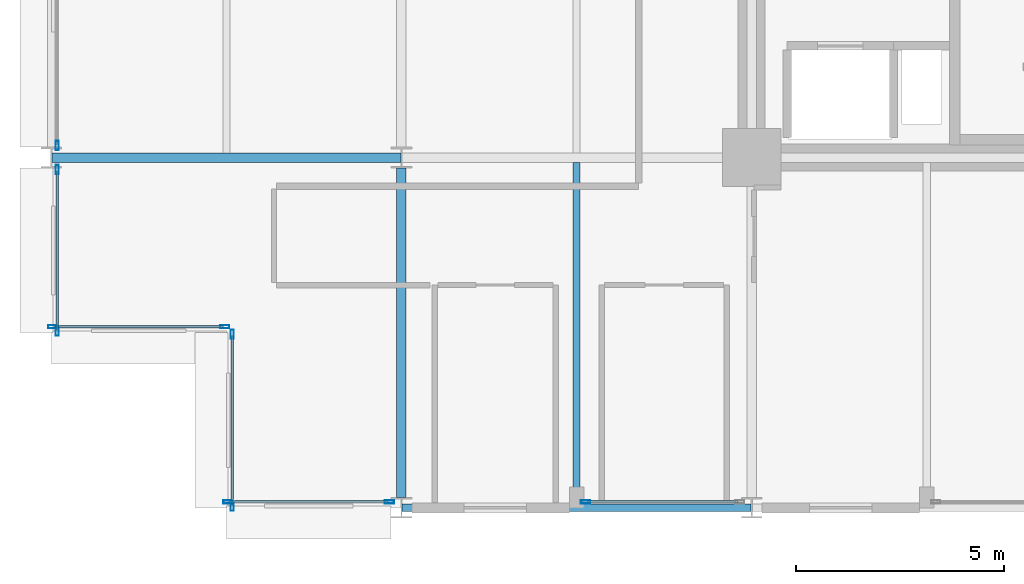
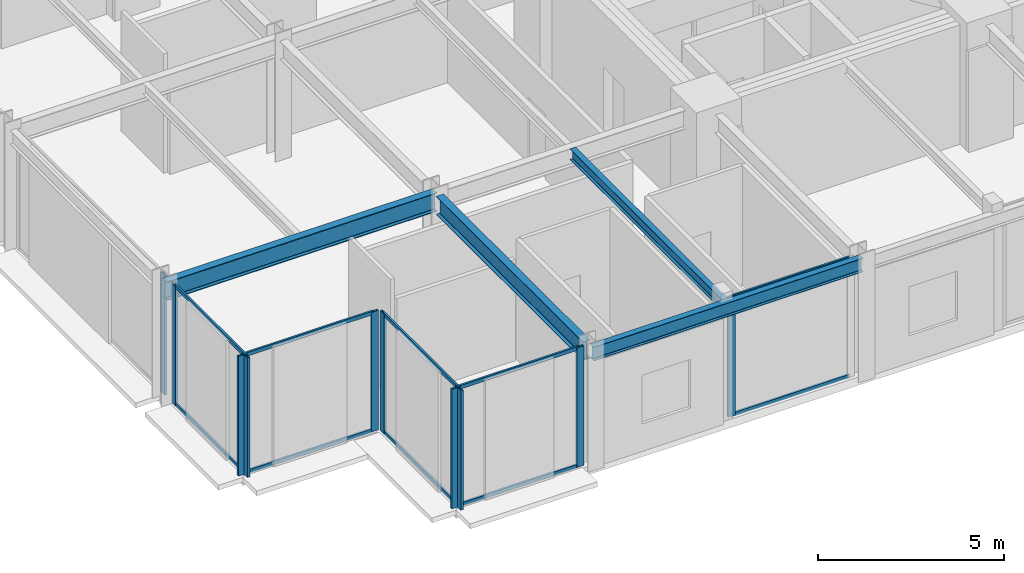
# One storey, part 2 of 25: 20 members, 4 beams, 6 elements without a shape of their own.
"""IFC4 building model written with IfcOpenShell, lengths in metres."""

from ifc_helpers import new_model, si_unit, direction, frame, origin, origin_2d, place, context, subcontext, project, spatial, hollow_rectangle, i_section, extrude, material, layer, layer_set, material_profile, profile_set, type_object, element, aggregate, save


model = new_model("IFC4")

# Units and contexts
model_context = context("Model", 3, precision=1e-05, world=origin(), true_north=direction((0.0, 1.0)))
body_context = subcontext(model_context, "Body", "Model", "MODEL_VIEW")
ifc_project = project(units=[si_unit("LENGTHUNIT", "METRE"), si_unit("AREAUNIT", "SQUARE_METRE"), si_unit("VOLUMEUNIT", "CUBIC_METRE"), si_unit("PLANEANGLEUNIT", "RADIAN"), si_unit("MASSUNIT", "GRAM", prefix="KILO")], contexts=[model_context])

# Site, building, storey
site_placement = place(None, origin())
site = spatial("IfcSite", under=ifc_project, at=site_placement, CompositionType="ELEMENT")
building_placement = place(site_placement, origin())
building = spatial("IfcBuilding", under=site, at=building_placement, Name="Nerrivon Quay Data Exchange", CompositionType="ELEMENT")
storey_placement = place(building_placement, frame((0.0, 0.0, 41.60009765625)))
storey = spatial("IfcBuildingStorey", under=building, at=storey_placement, Name="L09", CompositionType="ELEMENT", Elevation=41.60009765625)

# Beams
ifc_material_1 = material(Name="Steel Grade 350", Category="steel")
ifc_material_profile_1 = material_profile(ifc_material_1, i_section(OverallWidth=0.22900390625, OverallDepth=0.612060546875, WebThickness=0.011962890625, FlangeThickness=0.01953125, FilletRadius=0.013916015625, at=origin_2d()), Name="610UB125")
ifc_profile_set_1 = profile_set([ifc_material_profile_1], Name="Steel Grade 350")
beam_type_1 = type_object("IfcBeamType", Name="BM-G1-610UB125", PredefinedType="BEAM", material=ifc_profile_set_1)
beam_1_placement = place(storey_placement, frame((0.013916015625, 8.39990234375, 3.618896484375), z_axis=(1.0, 0.0, 0.0), x_axis=(0.0, 1.0, 0.0)))
element("IfcBeam", 1, at=beam_1_placement, inside=storey, type_object=beam_type_1, Name="L09 EW Girder Y=8.4 (0.0..8.4)", PredefinedType="BEAM", context=body_context, shape_type="SweptSolid", body=[
    extrude(i_section(OverallWidth=0.22900390625, OverallDepth=0.612060546875, WebThickness=0.011962890625, FlangeThickness=0.01953125, FilletRadius=0.013916015625, at=origin_2d()), origin(), (0.0, 0.0, 1.0), 8.3720703125),
])
ifc_material_profile_2 = material_profile(ifc_material_1, i_section(OverallWidth=0.22802734375, OverallDepth=0.60205078125, WebThickness=0.010498046875, FlangeThickness=0.014892578125, FilletRadius=0.013916015625, at=origin_2d()), Name="610UB101")
ifc_profile_set_2 = profile_set([ifc_material_profile_2], Name="Steel Grade 350")
beam_type_2 = type_object("IfcBeamType", Name="BM-G2-610UB101", PredefinedType="BEAM", material=ifc_profile_set_2)
beam_2_placement = place(storey_placement, frame((8.39990234375, 0.25, 3.6240234375), z_axis=(0.0, 1.0, 0.0), x_axis=(-1.0, 0.0, 0.0)))
element("IfcBeam", 2, at=beam_2_placement, inside=storey, type_object=beam_type_2, Name="L09 NS Girder X=8.4 (0.0..8.4)", PredefinedType="BEAM", context=body_context, shape_type="SweptSolid", body=[
    extrude(i_section(OverallWidth=0.22802734375, OverallDepth=0.60205078125, WebThickness=0.010498046875, FlangeThickness=0.014892578125, FilletRadius=0.013916015625, at=origin_2d()), origin(), (0.0, 0.0, 1.0), 7.89990234375),
])
ifc_material_profile_3 = material_profile(ifc_material_1, i_section(OverallWidth=0.172119140625, OverallDepth=0.35888671875, WebThickness=0.008056640625, FlangeThickness=0.012939453125, FilletRadius=0.011474609375, at=origin_2d()), Name="360UB56.7")
ifc_profile_set_3 = profile_set([ifc_material_profile_3], Name="Steel Grade 350")
beam_type_3 = type_object("IfcBeamType", Name="BM-J3-360UB57", PredefinedType="JOIST", material=ifc_profile_set_3)
beam_3_placement = place(storey_placement, frame((12.60009765625, 0.094970703125, 3.745361328125), z_axis=(0.0, 1.0, 0.0), x_axis=(-1.0, 0.0, 0.0)))
element("IfcBeam", 3, at=beam_3_placement, inside=storey, type_object=beam_type_3, Name="L09 Secondary Joist X=12.6 (0.0..8.4)", PredefinedType="JOIST", context=body_context, shape_type="SweptSolid", body=[
    extrude(i_section(OverallWidth=0.172119140625, OverallDepth=0.35888671875, WebThickness=0.008056640625, FlangeThickness=0.012939453125, FilletRadius=0.011474609375, at=origin_2d()), origin(), (0.0, 0.0, 1.0), 8.1904296875),
])
ifc_material_profile_4 = material_profile(ifc_material_1, i_section(OverallWidth=0.18994140625, OverallDepth=0.4541015625, WebThickness=0.008544921875, FlangeThickness=0.0126953125, FilletRadius=0.011474609375, at=origin_2d()), Name="460UB67.1")
ifc_profile_set_4 = profile_set([ifc_material_profile_4], Name="Steel Grade 350")
beam_type_4 = type_object("IfcBeamType", Name="BM-SP1-460UB67", PredefinedType="SPANDREL", material=ifc_profile_set_4)
beam_4_placement = place(storey_placement, frame((8.4140625, 0.0, 3.697998046875), z_axis=(1.0, 0.0, 0.0), x_axis=(0.0, 1.0, 0.0)))
element("IfcBeam", 4, at=beam_4_placement, inside=storey, type_object=beam_type_4, Name="L09 EW Girder Y=0.0 (8.4..16.8)", PredefinedType="SPANDREL", context=body_context, shape_type="SweptSolid", body=[
    extrude(i_section(OverallWidth=0.18994140625, OverallDepth=0.4541015625, WebThickness=0.008544921875, FlangeThickness=0.0126953125, FilletRadius=0.011474609375, at=origin_2d()), origin(), (0.0, 0.0, 1.0), 8.371826171875),
])

# Curtain wall, member
ifc_material_2 = material(Name="Anodised aluminium 6063-T6", Category="aluminium")
ifc_layer = layer(ifc_material_2, 0.219970703125)
ifc_layer_set = layer_set([ifc_layer], Name="Anodised aluminium 6063-T6")
curtain_wall_type = type_object("IfcCurtainWallType", Name="CW-SYS-01", PredefinedType="NOTDEFINED", material=ifc_layer_set)
curtain_wall_1_placement = place(storey_placement, origin())
curtain_wall_1 = element("IfcCurtainWall", 5, at=curtain_wall_1_placement, inside=storey, type_object=curtain_wall_type, Name="L09 Unitised Curtain Wall 8", PredefinedType="NOTDEFINED")
ifc_material_profile_5 = material_profile(ifc_material_2, hollow_rectangle(XDim=0.074951171875, YDim=0.219970703125, WallThickness=0.00390625, at=origin_2d()), Name="ALU-MULL-220x75")
ifc_profile_set_5 = profile_set([ifc_material_profile_5], Name="Anodised aluminium 6063-T6")
member_type_1 = type_object("IfcMemberType", Name="CWM-220x75", PredefinedType="MULLION", material=ifc_profile_set_5)
member_1_placement = place(storey_placement, frame((12.8125, 0.139892578125, 0.0), z_axis=(0.0, 0.0, 1.0), x_axis=(0.0, -1.0, 0.0)))
member_1 = element("IfcMember", 6, at=member_1_placement, type_object=member_type_1, Name="CW01 mullion 2", PredefinedType="MULLION", context=body_context, shape_type="SweptSolid", body=[
    extrude(hollow_rectangle(XDim=0.074951171875, YDim=0.219970703125, WallThickness=0.00390625, at=origin_2d()), origin(), (0.0, 0.0, 1.0), 3.9248046875),
])

# Curtain wall, members
curtain_wall_2_placement = place(storey_placement, origin())
curtain_wall_2 = element("IfcCurtainWall", 7, at=curtain_wall_2_placement, inside=storey, type_object=curtain_wall_type, Name="L09 Unitised Curtain Wall 10", PredefinedType="NOTDEFINED")
member_2_placement = place(storey_placement, frame((8.112548828125, 0.139892578125, 0.0), z_axis=(0.0, 0.0, 1.0), x_axis=(0.0, -1.0, 0.0)))
member_2 = element("IfcMember", 8, at=member_2_placement, type_object=member_type_1, Name="CW01 mullion 1", PredefinedType="MULLION", context=body_context, shape_type="SweptSolid", body=[
    extrude(hollow_rectangle(XDim=0.074951171875, YDim=0.219970703125, WallThickness=0.00390625, at=origin_2d()), origin(), (0.0, 0.0, 1.0), 3.9248046875),
])
member_3_placement = place(storey_placement, frame((4.237548828125, 0.139892578125, 0.0), z_axis=(0.0, 0.0, 1.0), x_axis=(0.0, -1.0, 0.0)))
member_3 = element("IfcMember", 9, at=member_3_placement, type_object=member_type_1, Name="CW01 mullion 2", PredefinedType="MULLION", context=body_context, shape_type="SweptSolid", body=[
    extrude(hollow_rectangle(XDim=0.074951171875, YDim=0.219970703125, WallThickness=0.00390625, at=origin_2d()), origin(), (0.0, 0.0, 1.0), 3.9248046875),
])

curtain_wall_3_placement = place(storey_placement, origin())
curtain_wall_3 = element("IfcCurtainWall", 10, at=curtain_wall_3_placement, inside=storey, type_object=curtain_wall_type, Name="L09 Unitised Curtain Wall 11", PredefinedType="NOTDEFINED")
member_4_placement = place(storey_placement, frame((4.340087890625, 0.03759765625, 0.0), z_axis=(0.0, 0.0, 1.0), x_axis=(-1.0, 0.0, 0.0)))
member_4 = element("IfcMember", 11, at=member_4_placement, type_object=member_type_1, Name="CW01 mullion 1", PredefinedType="MULLION", context=body_context, shape_type="SweptSolid", body=[
    extrude(hollow_rectangle(XDim=0.074951171875, YDim=0.219970703125, WallThickness=0.00390625, at=origin_2d()), origin(), (0.0, 0.0, 1.0), 3.9248046875),
])
member_5_placement = place(storey_placement, frame((4.340087890625, 4.16259765625, 0.0), z_axis=(0.0, 0.0, 1.0), x_axis=(-1.0, 0.0, 0.0)))
member_5 = element("IfcMember", 12, at=member_5_placement, type_object=member_type_1, Name="CW01 mullion 2", PredefinedType="MULLION", context=body_context, shape_type="SweptSolid", body=[
    extrude(hollow_rectangle(XDim=0.074951171875, YDim=0.219970703125, WallThickness=0.00390625, at=origin_2d()), origin(), (0.0, 0.0, 1.0), 3.9248046875),
])

curtain_wall_4_placement = place(storey_placement, origin())
curtain_wall_4 = element("IfcCurtainWall", 13, at=curtain_wall_4_placement, inside=storey, type_object=curtain_wall_type, Name="L09 Unitised Curtain Wall 12", PredefinedType="NOTDEFINED")
member_6_placement = place(storey_placement, frame((4.16259765625, 4.340087890625, 0.0), z_axis=(0.0, 0.0, 1.0), x_axis=(0.0, -1.0, 0.0)))
member_6 = element("IfcMember", 14, at=member_6_placement, type_object=member_type_1, Name="CW01 mullion 1", PredefinedType="MULLION", context=body_context, shape_type="SweptSolid", body=[
    extrude(hollow_rectangle(XDim=0.074951171875, YDim=0.219970703125, WallThickness=0.00390625, at=origin_2d()), origin(), (0.0, 0.0, 1.0), 3.9248046875),
])
member_7_placement = place(storey_placement, frame((0.03759765625, 4.340087890625, 0.0), z_axis=(0.0, 0.0, 1.0), x_axis=(0.0, -1.0, 0.0)))
member_7 = element("IfcMember", 15, at=member_7_placement, type_object=member_type_1, Name="CW01 mullion 2", PredefinedType="MULLION", context=body_context, shape_type="SweptSolid", body=[
    extrude(hollow_rectangle(XDim=0.074951171875, YDim=0.219970703125, WallThickness=0.00390625, at=origin_2d()), origin(), (0.0, 0.0, 1.0), 3.9248046875),
])

curtain_wall_5_placement = place(storey_placement, origin())
curtain_wall_5 = element("IfcCurtainWall", 16, at=curtain_wall_5_placement, inside=storey, type_object=curtain_wall_type, Name="L09 Unitised Curtain Wall 13", PredefinedType="NOTDEFINED")
member_8_placement = place(storey_placement, frame((0.139892578125, 4.237548828125, 0.0), z_axis=(0.0, 0.0, 1.0), x_axis=(-1.0, 0.0, 0.0)))
member_8 = element("IfcMember", 17, at=member_8_placement, type_object=member_type_1, Name="CW01 mullion 1", PredefinedType="MULLION", context=body_context, shape_type="SweptSolid", body=[
    extrude(hollow_rectangle(XDim=0.074951171875, YDim=0.219970703125, WallThickness=0.00390625, at=origin_2d()), origin(), (0.0, 0.0, 1.0), 3.9248046875),
])
member_9_placement = place(storey_placement, frame((0.139892578125, 8.112548828125, 0.0), z_axis=(0.0, 0.0, 1.0), x_axis=(-1.0, 0.0, 0.0)))
member_9 = element("IfcMember", 18, at=member_9_placement, type_object=member_type_1, Name="CW01 mullion 2", PredefinedType="MULLION", context=body_context, shape_type="SweptSolid", body=[
    extrude(hollow_rectangle(XDim=0.074951171875, YDim=0.219970703125, WallThickness=0.00390625, at=origin_2d()), origin(), (0.0, 0.0, 1.0), 3.9248046875),
])

# Curtain wall, member
curtain_wall_6_placement = place(storey_placement, origin())
curtain_wall_6 = element("IfcCurtainWall", 19, at=curtain_wall_6_placement, inside=storey, type_object=curtain_wall_type, Name="L09 Unitised Curtain Wall 14", PredefinedType="NOTDEFINED")
member_10_placement = place(storey_placement, frame((0.139892578125, 8.6875, 0.0), z_axis=(0.0, 0.0, 1.0), x_axis=(-1.0, 0.0, 0.0)))
member_10 = element("IfcMember", 20, at=member_10_placement, type_object=member_type_1, Name="CW01 mullion 1", PredefinedType="MULLION", context=body_context, shape_type="SweptSolid", body=[
    extrude(hollow_rectangle(XDim=0.074951171875, YDim=0.219970703125, WallThickness=0.00390625, at=origin_2d()), origin(), (0.0, 0.0, 1.0), 3.9248046875),
])
aggregate(curtain_wall_6, [member_10])

# Member
ifc_material_profile_6 = material_profile(ifc_material_2, hollow_rectangle(XDim=0.06005859375, YDim=0.1201171875, WallThickness=0.003173828125, at=origin_2d()), Name="ALU-TRAN-120x60")
ifc_profile_set_6 = profile_set([ifc_material_profile_6], Name="Anodised aluminium 6063-T6")
member_type_2 = type_object("IfcMemberType", Name="CWT-120x60", PredefinedType="USERDEFINED", material=ifc_profile_set_6)
member_11_placement = place(storey_placement, frame((16.47509765625, 0.139892578125, 0.032470703125), z_axis=(-1.0, 0.0, 0.0), x_axis=(0.0, -1.0, 0.0)))
member_11 = element("IfcMember", 21, at=member_11_placement, type_object=member_type_2, Name="CW01 transom 1.1", ObjectType="TRANSOM", PredefinedType="USERDEFINED", context=body_context, shape_type="SweptSolid", body=[
    extrude(hollow_rectangle(XDim=0.06005859375, YDim=0.1201171875, WallThickness=0.003173828125, at=origin_2d()), origin(), (0.0, 0.0, 1.0), 3.625),
])

member_12_placement = place(storey_placement, frame((16.47509765625, 0.139892578125, 3.892333984375), z_axis=(-1.0, 0.0, 0.0), x_axis=(0.0, -1.0, 0.0)))
member_12 = element("IfcMember", 22, at=member_12_placement, type_object=member_type_2, Name="CW01 transom 1.2", ObjectType="TRANSOM", PredefinedType="USERDEFINED", context=body_context, shape_type="SweptSolid", body=[
    extrude(hollow_rectangle(XDim=0.06005859375, YDim=0.1201171875, WallThickness=0.003173828125, at=origin_2d()), origin(), (0.0, 0.0, 1.0), 3.625),
])

aggregate(curtain_wall_1, [member_1, member_11, member_12])

member_13_placement = place(storey_placement, frame((8.074951171875, 0.139892578125, 0.032470703125), z_axis=(-1.0, 0.0, 0.0), x_axis=(0.0, -1.0, 0.0)))
member_13 = element("IfcMember", 23, at=member_13_placement, type_object=member_type_2, Name="CW01 transom 1.1", ObjectType="TRANSOM", PredefinedType="USERDEFINED", context=body_context, shape_type="SweptSolid", body=[
    extrude(hollow_rectangle(XDim=0.06005859375, YDim=0.1201171875, WallThickness=0.003173828125, at=origin_2d()), origin(), (0.0, 0.0, 1.0), 3.800048828125),
])

member_14_placement = place(storey_placement, frame((8.074951171875, 0.139892578125, 3.892333984375), z_axis=(-1.0, 0.0, 0.0), x_axis=(0.0, -1.0, 0.0)))
member_14 = element("IfcMember", 24, at=member_14_placement, type_object=member_type_2, Name="CW01 transom 1.2", ObjectType="TRANSOM", PredefinedType="USERDEFINED", context=body_context, shape_type="SweptSolid", body=[
    extrude(hollow_rectangle(XDim=0.06005859375, YDim=0.1201171875, WallThickness=0.003173828125, at=origin_2d()), origin(), (0.0, 0.0, 1.0), 3.800048828125),
])

aggregate(curtain_wall_2, [member_2, member_3, member_13, member_14])

member_15_placement = place(storey_placement, frame((4.340087890625, 0.074951171875, 0.032470703125), z_axis=(0.0, 1.0, 0.0), x_axis=(-1.0, 0.0, 0.0)))
member_15 = element("IfcMember", 25, at=member_15_placement, type_object=member_type_2, Name="CW01 transom 1.1", ObjectType="TRANSOM", PredefinedType="USERDEFINED", context=body_context, shape_type="SweptSolid", body=[
    extrude(hollow_rectangle(XDim=0.06005859375, YDim=0.1201171875, WallThickness=0.003173828125, at=origin_2d()), origin(), (0.0, 0.0, 1.0), 4.050048828125),
])

member_16_placement = place(storey_placement, frame((4.340087890625, 0.074951171875, 3.892333984375), z_axis=(0.0, 1.0, 0.0), x_axis=(-1.0, 0.0, 0.0)))
member_16 = element("IfcMember", 26, at=member_16_placement, type_object=member_type_2, Name="CW01 transom 1.2", ObjectType="TRANSOM", PredefinedType="USERDEFINED", context=body_context, shape_type="SweptSolid", body=[
    extrude(hollow_rectangle(XDim=0.06005859375, YDim=0.1201171875, WallThickness=0.003173828125, at=origin_2d()), origin(), (0.0, 0.0, 1.0), 4.050048828125),
])

aggregate(curtain_wall_3, [member_4, member_5, member_15, member_16])

member_17_placement = place(storey_placement, frame((4.125, 4.340087890625, 0.032470703125), z_axis=(-1.0, 0.0, 0.0), x_axis=(0.0, -1.0, 0.0)))
member_17 = element("IfcMember", 27, at=member_17_placement, type_object=member_type_2, Name="CW01 transom 1.1", ObjectType="TRANSOM", PredefinedType="USERDEFINED", context=body_context, shape_type="SweptSolid", body=[
    extrude(hollow_rectangle(XDim=0.06005859375, YDim=0.1201171875, WallThickness=0.003173828125, at=origin_2d()), origin(), (0.0, 0.0, 1.0), 4.050048828125),
])

member_18_placement = place(storey_placement, frame((4.125, 4.340087890625, 3.892333984375), z_axis=(-1.0, 0.0, 0.0), x_axis=(0.0, -1.0, 0.0)))
member_18 = element("IfcMember", 28, at=member_18_placement, type_object=member_type_2, Name="CW01 transom 1.2", ObjectType="TRANSOM", PredefinedType="USERDEFINED", context=body_context, shape_type="SweptSolid", body=[
    extrude(hollow_rectangle(XDim=0.06005859375, YDim=0.1201171875, WallThickness=0.003173828125, at=origin_2d()), origin(), (0.0, 0.0, 1.0), 4.050048828125),
])

aggregate(curtain_wall_4, [member_6, member_7, member_17, member_18])

member_19_placement = place(storey_placement, frame((0.139892578125, 4.27490234375, 0.032470703125), z_axis=(0.0, 1.0, 0.0), x_axis=(-1.0, 0.0, 0.0)))
member_19 = element("IfcMember", 29, at=member_19_placement, type_object=member_type_2, Name="CW01 transom 1.1", ObjectType="TRANSOM", PredefinedType="USERDEFINED", context=body_context, shape_type="SweptSolid", body=[
    extrude(hollow_rectangle(XDim=0.06005859375, YDim=0.1201171875, WallThickness=0.003173828125, at=origin_2d()), origin(), (0.0, 0.0, 1.0), 3.800048828125),
])

member_20_placement = place(storey_placement, frame((0.139892578125, 4.27490234375, 3.892333984375), z_axis=(0.0, 1.0, 0.0), x_axis=(-1.0, 0.0, 0.0)))
member_20 = element("IfcMember", 30, at=member_20_placement, type_object=member_type_2, Name="CW01 transom 1.2", ObjectType="TRANSOM", PredefinedType="USERDEFINED", context=body_context, shape_type="SweptSolid", body=[
    extrude(hollow_rectangle(XDim=0.06005859375, YDim=0.1201171875, WallThickness=0.003173828125, at=origin_2d()), origin(), (0.0, 0.0, 1.0), 3.800048828125),
])

aggregate(curtain_wall_5, [member_8, member_9, member_19, member_20])

save(model, "model.ifc")
